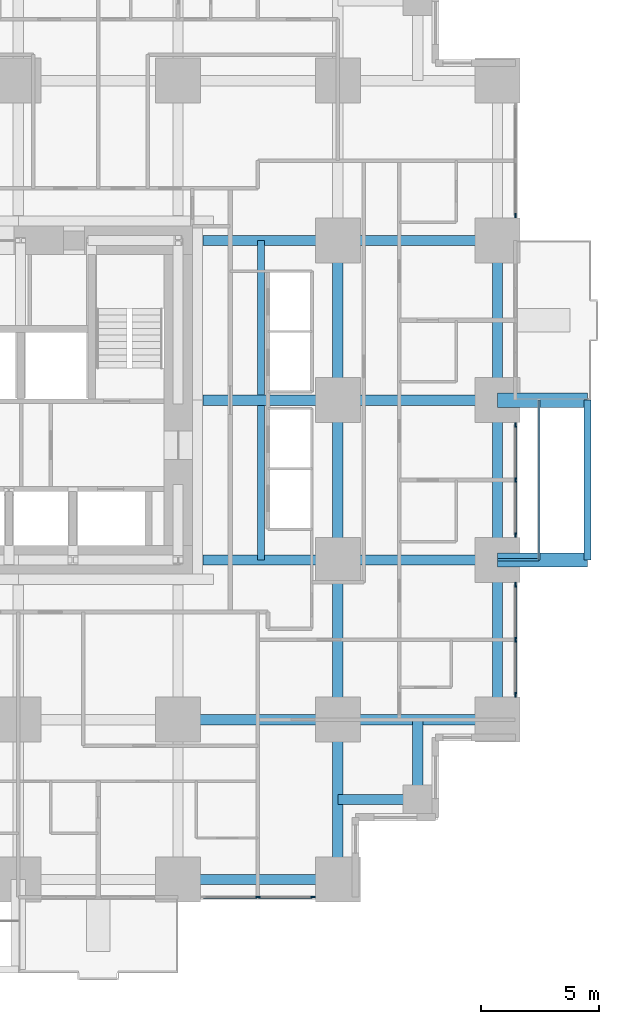
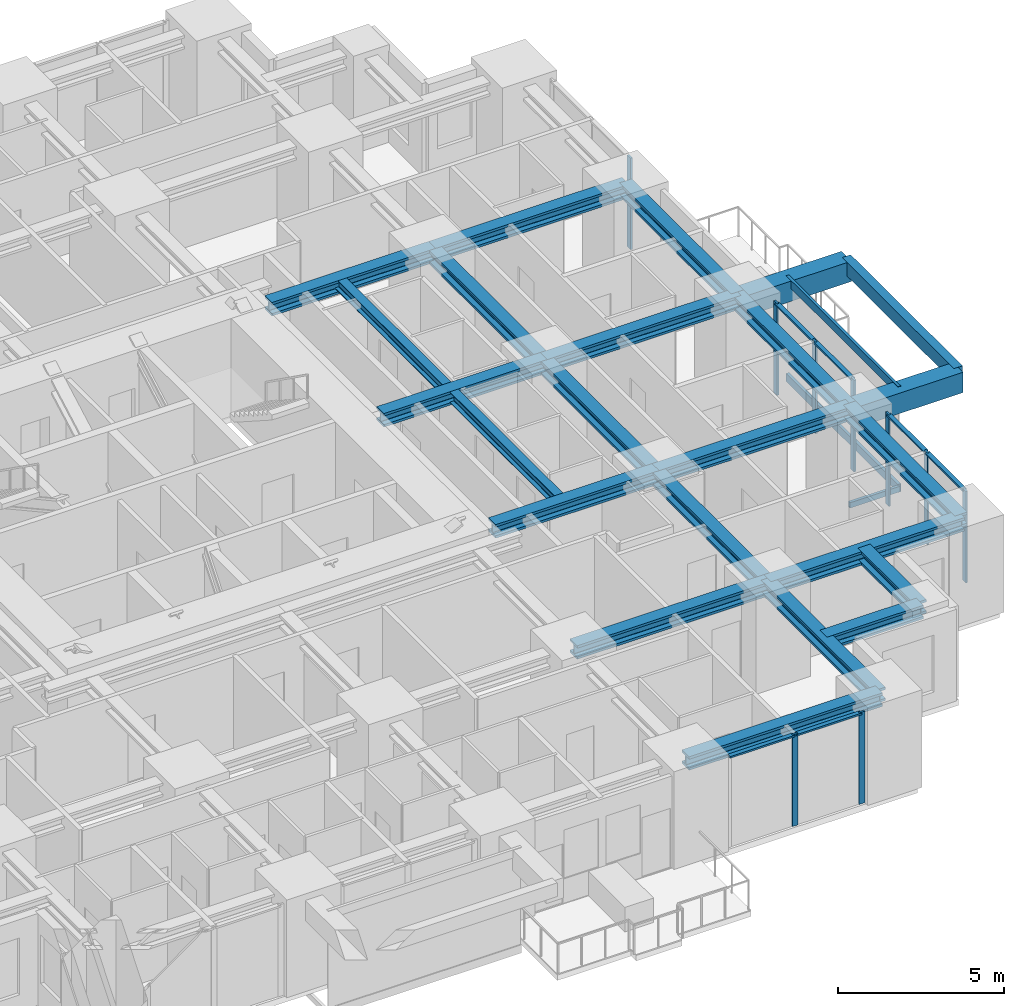
# One storey, part 4 of 14: 23 beams, 18 members, 4 elements without a shape of their own.
"""IFC4 building model written with IfcOpenShell, lengths in metres."""

from ifc_helpers import new_model, si_unit, direction, frame, origin, origin_2d, place, context, subcontext, project, spatial, rectangle, hollow_rectangle, i_section, extrude, material, material_profile, profile_set, type_object, element, aggregate, save


model = new_model("IFC4")

# Units and contexts
model_context = context("Model", 3, precision=1e-05, world=origin(), true_north=direction((0.0, 1.0)))
body_context = subcontext(model_context, "Body", "Model", "MODEL_VIEW")
ifc_project = project(units=[si_unit("LENGTHUNIT", "METRE"), si_unit("AREAUNIT", "SQUARE_METRE"), si_unit("VOLUMEUNIT", "CUBIC_METRE"), si_unit("PLANEANGLEUNIT", "RADIAN"), si_unit("MASSUNIT", "GRAM", prefix="KILO")], contexts=[model_context])

# Site, building, storey
site_placement = place(None, origin())
site = spatial("IfcSite", under=ifc_project, at=site_placement, CompositionType="ELEMENT")
building_placement = place(site_placement, origin())
building = spatial("IfcBuilding", under=site, at=building_placement, Name="Nyansa Garden Tower", CompositionType="ELEMENT")
storey_placement = place(building_placement, frame((0.0, 0.0, 21.60009765625)))
storey = spatial("IfcBuildingStorey", under=building, at=storey_placement, Name="L05", CompositionType="ELEMENT", Elevation=21.60009765625)

# Beams
ifc_material_1 = material(Name="Concrete C70/85", Category="concrete")
ifc_material_profile_1 = material_profile(ifc_material_1, rectangle(XDim=0.60009765625, YDim=0.75, at=origin_2d()), Name="RC 600x750")
ifc_profile_set_1 = profile_set([ifc_material_profile_1], Name="Concrete C70/85")
beam_type_1 = type_object("IfcBeamType", Name="Balcony cantilever beam CB1 RC 600x750", PredefinedType="BEAM", material=ifc_profile_set_1)
for number, where, z_axis, x_axis, name in (
    (1, (40.5, 13.5, 2.98486328125), (1.0, 0.0, 0.0), (0.0, 1.0, 0.0), "Balcony cantilever beam L06"),
    (2, (40.5, 20.25, 2.98486328125), (1.0, 0.0, 0.0), (0.0, 1.0, 0.0), "Balcony cantilever beam L06"),
):
    element("IfcBeam", number, at=place(storey_placement, frame(where, z_axis=z_axis, x_axis=x_axis)), inside=storey, type_object=beam_type_1, Name=name, PredefinedType="BEAM", context=body_context, shape_type="SweptSolid", body=[
        extrude(rectangle(XDim=0.60009765625, YDim=0.75, at=origin_2d()), origin(), (0.0, 0.0, 1.0), 3.800048828125),
    ])
ifc_material_2 = material(Name="Concrete C70/85", Category="concrete")
ifc_material_profile_2 = material_profile(ifc_material_2, rectangle(XDim=0.300048828125, YDim=0.5, at=origin_2d()), Name="RC 300x500")
ifc_profile_set_2 = profile_set([ifc_material_profile_2], Name="Concrete C70/85")
beam_type_2 = type_object("IfcBeamType", Name="Balcony edge beam BE1 RC 300x500", PredefinedType="BEAM", material=ifc_profile_set_2)
beam_1_placement = place(storey_placement, frame((44.300048828125, 13.5, 3.10986328125), z_axis=(0.0, 1.0, 0.0), x_axis=(-1.0, 0.0, 0.0)))
element("IfcBeam", 3, at=beam_1_placement, inside=storey, type_object=beam_type_2, Name="Balcony edge beam L06", PredefinedType="BEAM", context=body_context, shape_type="SweptSolid", body=[
    extrude(rectangle(XDim=0.300048828125, YDim=0.5, at=origin_2d()), origin(), (0.0, 0.0, 1.0), 6.75),
])

# Curtain wall, members
ifc_material_3 = material(Name="Black anodised aluminium, dark tinted double glazing", Category="aluminium")
curtain_wall_type = type_object("IfcCurtainWallType", Name="Inner skin curtain wall ISW-A", PredefinedType="USERDEFINED", material=ifc_material_3)
curtain_wall_1_placement = place(storey_placement, origin())
curtain_wall_1 = element("IfcCurtainWall", 4, at=curtain_wall_1_placement, inside=storey, type_object=curtain_wall_type, Name="Inner skin curtain wall L05 E", ObjectType="UNITISED CURTAIN WALL", PredefinedType="USERDEFINED")
ifc_material_4 = material(Name="Black anodised aluminium", Category="aluminium")
ifc_material_profile_3 = material_profile(ifc_material_4, rectangle(XDim=0.06494140625, YDim=0.199951171875, at=origin_2d()), Name="Mullion 200x65")
ifc_profile_set_3 = profile_set([ifc_material_profile_3], Name="Black anodised aluminium")
member_type_1 = type_object("IfcMemberType", Name="Mullion ISW-A 200x65", PredefinedType="MULLION", material=ifc_profile_set_3)
member_1_placement = place(storey_placement, frame((41.25, 7.800048828125, 0.0), z_axis=(0.0, 0.0, 1.0), x_axis=(-1.0, 0.0, 0.0)))
member_1 = element("IfcMember", 5, at=member_1_placement, type_object=member_type_1, Name="ISW-A mullion 1", PredefinedType="MULLION", context=body_context, shape_type="SweptSolid", body=[
    extrude(rectangle(XDim=0.06494140625, YDim=0.199951171875, at=origin_2d()), origin(), (0.0, 0.0, 1.0), 3.375),
])
member_2_placement = place(storey_placement, frame((41.25, 10.125, 0.0), z_axis=(0.0, 0.0, 1.0), x_axis=(-1.0, 0.0, 0.0)))
member_2 = element("IfcMember", 6, at=member_2_placement, type_object=member_type_1, Name="ISW-A mullion 2", PredefinedType="MULLION", context=body_context, shape_type="SweptSolid", body=[
    extrude(rectangle(XDim=0.06494140625, YDim=0.199951171875, at=origin_2d()), origin(), (0.0, 0.0, 1.0), 3.375),
])
member_3_placement = place(storey_placement, frame((41.25, 12.449951171875, 0.0), z_axis=(0.0, 0.0, 1.0), x_axis=(-1.0, 0.0, 0.0)))
member_3 = element("IfcMember", 7, at=member_3_placement, type_object=member_type_1, Name="ISW-A mullion 3", PredefinedType="MULLION", context=body_context, shape_type="SweptSolid", body=[
    extrude(rectangle(XDim=0.06494140625, YDim=0.199951171875, at=origin_2d()), origin(), (0.0, 0.0, 1.0), 3.375),
])

curtain_wall_2_placement = place(storey_placement, origin())
curtain_wall_2 = element("IfcCurtainWall", 8, at=curtain_wall_2_placement, inside=storey, type_object=curtain_wall_type, Name="Inner skin curtain wall L05 E", ObjectType="UNITISED CURTAIN WALL", PredefinedType="USERDEFINED")
member_4_placement = place(storey_placement, frame((41.25, 14.550048828125, 0.0), z_axis=(0.0, 0.0, 1.0), x_axis=(-1.0, 0.0, 0.0)))
member_4 = element("IfcMember", 9, at=member_4_placement, type_object=member_type_1, Name="ISW-A mullion 1", PredefinedType="MULLION", context=body_context, shape_type="SweptSolid", body=[
    extrude(rectangle(XDim=0.06494140625, YDim=0.199951171875, at=origin_2d()), origin(), (0.0, 0.0, 1.0), 3.375),
])
member_5_placement = place(storey_placement, frame((41.25, 16.875, 0.0), z_axis=(0.0, 0.0, 1.0), x_axis=(-1.0, 0.0, 0.0)))
member_5 = element("IfcMember", 10, at=member_5_placement, type_object=member_type_1, Name="ISW-A mullion 2", PredefinedType="MULLION", context=body_context, shape_type="SweptSolid", body=[
    extrude(rectangle(XDim=0.06494140625, YDim=0.199951171875, at=origin_2d()), origin(), (0.0, 0.0, 1.0), 3.375),
])
member_6_placement = place(storey_placement, frame((41.25, 19.199951171875, 0.0), z_axis=(0.0, 0.0, 1.0), x_axis=(-1.0, 0.0, 0.0)))
member_6 = element("IfcMember", 11, at=member_6_placement, type_object=member_type_1, Name="ISW-A mullion 3", PredefinedType="MULLION", context=body_context, shape_type="SweptSolid", body=[
    extrude(rectangle(XDim=0.06494140625, YDim=0.199951171875, at=origin_2d()), origin(), (0.0, 0.0, 1.0), 3.375),
])

# Curtain wall, member
curtain_wall_3_placement = place(storey_placement, origin())
curtain_wall_3 = element("IfcCurtainWall", 12, at=curtain_wall_3_placement, inside=storey, type_object=curtain_wall_type, Name="Inner skin curtain wall L05 E", ObjectType="UNITISED CURTAIN WALL", PredefinedType="USERDEFINED")
member_7_placement = place(storey_placement, frame((41.25, 28.050048828125, 0.0), z_axis=(0.0, 0.0, 1.0), x_axis=(-1.0, 0.0, 0.0)))
member_7 = element("IfcMember", 13, at=member_7_placement, type_object=member_type_1, Name="ISW-A mullion 1", PredefinedType="MULLION", context=body_context, shape_type="SweptSolid", body=[
    extrude(rectangle(XDim=0.06494140625, YDim=0.199951171875, at=origin_2d()), origin(), (0.0, 0.0, 1.0), 3.375),
])
aggregate(curtain_wall_3, [member_7])

# Curtain wall, members
curtain_wall_4_placement = place(storey_placement, origin())
curtain_wall_4 = element("IfcCurtainWall", 14, at=curtain_wall_4_placement, inside=storey, type_object=curtain_wall_type, Name="Inner skin curtain wall L05 S", ObjectType="UNITISED CURTAIN WALL", PredefinedType="USERDEFINED")
member_8_placement = place(storey_placement, frame((30.375, -0.75, 0.0), z_axis=(0.0, 0.0, 1.0), x_axis=(0.0, 1.0, 0.0)))
member_8 = element("IfcMember", 15, at=member_8_placement, type_object=member_type_1, Name="ISW-A mullion 2", PredefinedType="MULLION", context=body_context, shape_type="SweptSolid", body=[
    extrude(rectangle(XDim=0.06494140625, YDim=0.199951171875, at=origin_2d()), origin(), (0.0, 0.0, 1.0), 3.375),
])
member_9_placement = place(storey_placement, frame((32.699951171875, -0.75, 0.0), z_axis=(0.0, 0.0, 1.0), x_axis=(0.0, 1.0, 0.0)))
member_9 = element("IfcMember", 16, at=member_9_placement, type_object=member_type_1, Name="ISW-A mullion 3", PredefinedType="MULLION", context=body_context, shape_type="SweptSolid", body=[
    extrude(rectangle(XDim=0.06494140625, YDim=0.199951171875, at=origin_2d()), origin(), (0.0, 0.0, 1.0), 3.375),
])

# Members
ifc_material_5 = material(Name="Steel S355, black powder coated", Category="steel")
ifc_material_profile_4 = material_profile(ifc_material_5, hollow_rectangle(XDim=0.10009765625, YDim=0.199951171875, WallThickness=0.008056640625, at=origin_2d()), Name="RHS 200x100x8")
ifc_profile_set_4 = profile_set([ifc_material_profile_4], Name="Steel S355, black powder coated")
member_type_2 = type_object("IfcMemberType", Name="Outer skin bracket arm RHS 200x100x8", PredefinedType="USERDEFINED", material=ifc_profile_set_4)
member_10_placement = place(storey_placement, frame((40.5, 13.5, -0.375), z_axis=(1.0, 0.0, 0.0), x_axis=(0.0, 1.0, 0.0)))
element("IfcMember", 17, at=member_10_placement, inside=storey, type_object=member_type_2, Name="Outer skin bracket arm", ObjectType="OUTER SKIN BRACKET", PredefinedType="USERDEFINED", context=body_context, shape_type="SweptSolid", body=[
    extrude(hollow_rectangle(XDim=0.10009765625, YDim=0.199951171875, WallThickness=0.008056640625, at=origin_2d()), origin(), (0.0, 0.0, 1.0), 1.75),
])
ifc_material_6 = material(Name="Steel S355, black powder coated", Category="steel")
ifc_material_profile_5 = material_profile(ifc_material_6, hollow_rectangle(XDim=0.10009765625, YDim=0.300048828125, WallThickness=0.010009765625, at=origin_2d()), Name="RHS 300x100x10")
ifc_profile_set_5 = profile_set([ifc_material_profile_5], Name="Steel S355, black powder coated")
member_type_3 = type_object("IfcMemberType", Name="Outer skin rail RHS 300x100x10", PredefinedType="USERDEFINED", material=ifc_profile_set_5)
for number, where, z_axis, x_axis, name in (
    (18, (42.25, 13.5, -0.375), (0.0, 1.0, 0.0), (-1.0, 0.0, 0.0), "Outer skin rail L05"),
    (19, (42.25, 13.5, 3.224853515625), (0.0, 1.0, 0.0), (-1.0, 0.0, 0.0), "Outer skin rail L05 head"),
):
    element("IfcMember", number, at=place(storey_placement, frame(where, z_axis=z_axis, x_axis=x_axis)), inside=storey, type_object=member_type_3, Name=name, ObjectType="OUTER SKIN RAIL", PredefinedType="USERDEFINED", context=body_context, shape_type="SweptSolid", body=[
        extrude(hollow_rectangle(XDim=0.10009765625, YDim=0.300048828125, WallThickness=0.010009765625, at=origin_2d()), origin(), (0.0, 0.0, 1.0), 6.75),
    ])

# Beams
ifc_material_7 = material(Name="Steel S355", Category="steel")
ifc_material_profile_6 = material_profile(ifc_material_7, i_section(OverallWidth=0.431884765625, OverallDepth=0.498046875, WebThickness=0.0556640625, FlangeThickness=0.0888671875, FilletRadius=0.014892578125, at=origin_2d()), Name="HD 400x744")
ifc_profile_set_6 = profile_set([ifc_material_profile_6], Name="Steel S355")
beam_type_3 = type_object("IfcBeamType", Name="Steel beam SBA1-744 HD 400x744", PredefinedType="BEAM", material=ifc_profile_set_6)
beam_2_placement = place(storey_placement, frame((27.0, 6.75, 3.1259765625), z_axis=(1.0, 0.0, 0.0), x_axis=(0.0, 1.0, 0.0)))
element("IfcBeam", 20, at=beam_2_placement, inside=storey, type_object=beam_type_3, Name="Steel beam 6/E-7/E L06", PredefinedType="BEAM", context=body_context, shape_type="SweptSolid", body=[
    extrude(i_section(OverallWidth=0.431884765625, OverallDepth=0.498046875, WebThickness=0.0556640625, FlangeThickness=0.0888671875, FilletRadius=0.014892578125, at=origin_2d()), origin(), (0.0, 0.0, 1.0), 6.75),
])
for number, where, z_axis, x_axis, name in (
    (21, (28.050048828125, 13.5, 3.1259765625), (1.0, 0.0, 0.0), (0.0, 1.0, 0.0), "Steel beam 28.050/F-7/F L06"),
    (22, (28.050048828125, 20.25, 3.1259765625), (1.0, 0.0, 0.0), (0.0, 1.0, 0.0), "Steel beam 28.050/G-7/G L06"),
    (23, (28.050048828125, 27.0, 3.1259765625), (1.0, 0.0, 0.0), (0.0, 1.0, 0.0), "Steel beam 28.050/H-7/H L06"),
):
    element("IfcBeam", number, at=place(storey_placement, frame(where, z_axis=z_axis, x_axis=x_axis)), inside=storey, type_object=beam_type_3, Name=name, PredefinedType="BEAM", context=body_context, shape_type="SweptSolid", body=[
        extrude(i_section(OverallWidth=0.431884765625, OverallDepth=0.498046875, WebThickness=0.0556640625, FlangeThickness=0.0888671875, FilletRadius=0.014892578125, at=origin_2d()), origin(), (0.0, 0.0, 1.0), 5.699951171875),
    ])
for number, where, z_axis, x_axis, name in (
    (24, (33.75, 0.0, 3.1259765625), (0.0, 1.0, 0.0), (-1.0, 0.0, 0.0), "Steel beam 7/D-7/E L06"),
    (25, (33.75, 6.75, 3.1259765625), (0.0, 1.0, 0.0), (-1.0, 0.0, 0.0), "Steel beam 7/E-7/F L06"),
    (26, (33.75, 6.75, 3.1259765625), (1.0, 0.0, 0.0), (0.0, 1.0, 0.0), "Steel beam 7/E-8/E L06"),
    (27, (33.75, 13.5, 3.1259765625), (0.0, 1.0, 0.0), (-1.0, 0.0, 0.0), "Steel beam 7/F-7/G L06"),
    (28, (33.75, 13.5, 3.1259765625), (1.0, 0.0, 0.0), (0.0, 1.0, 0.0), "Steel beam 7/F-8/F L06"),
    (29, (33.75, 20.25, 3.1259765625), (0.0, 1.0, 0.0), (-1.0, 0.0, 0.0), "Steel beam 7/G-7/H L06"),
    (30, (33.75, 20.25, 3.1259765625), (1.0, 0.0, 0.0), (0.0, 1.0, 0.0), "Steel beam 7/G-8/G L06"),
    (31, (33.75, 27.0, 3.1259765625), (1.0, 0.0, 0.0), (0.0, 1.0, 0.0), "Steel beam 7/H-8/H L06"),
):
    element("IfcBeam", number, at=place(storey_placement, frame(where, z_axis=z_axis, x_axis=x_axis)), inside=storey, type_object=beam_type_3, Name=name, PredefinedType="BEAM", context=body_context, shape_type="SweptSolid", body=[
        extrude(i_section(OverallWidth=0.431884765625, OverallDepth=0.498046875, WebThickness=0.0556640625, FlangeThickness=0.0888671875, FilletRadius=0.014892578125, at=origin_2d()), origin(), (0.0, 0.0, 1.0), 6.75),
    ])
ifc_material_8 = material(Name="Steel S355", Category="steel")
ifc_material_profile_7 = material_profile(ifc_material_8, i_section(OverallWidth=0.431884765625, OverallDepth=0.498046875, WebThickness=0.0556640625, FlangeThickness=0.0888671875, FilletRadius=0.014892578125, at=origin_2d()), Name="HD 400x744")
ifc_profile_set_7 = profile_set([ifc_material_profile_7], Name="Steel S355")
beam_type_4 = type_object("IfcBeamType", Name="Steel beam SEBA-744 HD 400x744", PredefinedType="BEAM", material=ifc_profile_set_7)
for number, where, z_axis, x_axis, name in (
    (32, (27.0, 0.0, 3.1259765625), (1.0, 0.0, 0.0), (0.0, 1.0, 0.0), "Steel edge beam 6/D-7/D L06"),
    (33, (40.5, 6.75, 3.1259765625), (0.0, 1.0, 0.0), (-1.0, 0.0, 0.0), "Steel edge beam 8/E-8/F L06"),
    (34, (40.5, 13.5, 3.1259765625), (0.0, 1.0, 0.0), (-1.0, 0.0, 0.0), "Steel edge beam 8/F-8/G L06"),
    (35, (40.5, 20.25, 3.1259765625), (0.0, 1.0, 0.0), (-1.0, 0.0, 0.0), "Steel edge beam 8/G-8/H L06"),
):
    element("IfcBeam", number, at=place(storey_placement, frame(where, z_axis=z_axis, x_axis=x_axis)), inside=storey, type_object=beam_type_4, Name=name, PredefinedType="BEAM", context=body_context, shape_type="SweptSolid", body=[
        extrude(i_section(OverallWidth=0.431884765625, OverallDepth=0.498046875, WebThickness=0.0556640625, FlangeThickness=0.0888671875, FilletRadius=0.014892578125, at=origin_2d()), origin(), (0.0, 0.0, 1.0), 6.75),
    ])
ifc_material_9 = material(Name="Steel S355", Category="steel")
ifc_material_profile_8 = material_profile(ifc_material_9, i_section(OverallWidth=0.431884765625, OverallDepth=0.498046875, WebThickness=0.0556640625, FlangeThickness=0.0888671875, FilletRadius=0.014892578125, at=origin_2d()), Name="HD 400x744")
ifc_profile_set_8 = profile_set([ifc_material_profile_8], Name="Steel S355")
beam_type_5 = type_object("IfcBeamType", Name="Steel beam SSB1-744 HD 400x744", PredefinedType="BEAM", material=ifc_profile_set_8)
for number, where, z_axis, x_axis, name in (
    (36, (37.125, 3.375, 3.1259765625), (0.0, 1.0, 0.0), (-1.0, 0.0, 0.0), "Steel step beam 37.125/3.375 L06"),
    (37, (37.125, 3.375, 3.1259765625), (-1.0, 0.0, 0.0), (0.0, -1.0, 0.0), "Steel step beam 37.125/3.375 L06"),
):
    element("IfcBeam", number, at=place(storey_placement, frame(where, z_axis=z_axis, x_axis=x_axis)), inside=storey, type_object=beam_type_5, Name=name, PredefinedType="BEAM", context=body_context, shape_type="SweptSolid", body=[
        extrude(i_section(OverallWidth=0.431884765625, OverallDepth=0.498046875, WebThickness=0.0556640625, FlangeThickness=0.0888671875, FilletRadius=0.014892578125, at=origin_2d()), origin(), (0.0, 0.0, 1.0), 3.375),
    ])

# Member
ifc_material_10 = material(Name="Black anodised aluminium", Category="aluminium")
ifc_material_profile_9 = material_profile(ifc_material_10, rectangle(XDim=0.14990234375, YDim=0.06494140625, at=origin_2d()), Name="Transom 150x65")
ifc_profile_set_9 = profile_set([ifc_material_profile_9], Name="Black anodised aluminium")
member_type_4 = type_object("IfcMemberType", Name="Transom ISW-A 150x65", PredefinedType="USERDEFINED", material=ifc_profile_set_9)
member_11_placement = place(storey_placement, frame((41.25, 7.83251953125, 3.34228515625), z_axis=(0.0, 1.0, 0.0), x_axis=(-1.0, 0.0, 0.0)))
member_11 = element("IfcMember", 38, at=member_11_placement, type_object=member_type_4, Name="ISW-A transom 1", ObjectType="TRANSOM", PredefinedType="USERDEFINED", context=body_context, shape_type="SweptSolid", body=[
    extrude(rectangle(XDim=0.14990234375, YDim=0.06494140625, at=origin_2d()), origin(), (0.0, 0.0, 1.0), 2.260009765625),
])

member_12_placement = place(storey_placement, frame((41.25, 10.157470703125, 3.34228515625), z_axis=(0.0, 1.0, 0.0), x_axis=(-1.0, 0.0, 0.0)))
member_12 = element("IfcMember", 39, at=member_12_placement, type_object=member_type_4, Name="ISW-A transom 2", ObjectType="TRANSOM", PredefinedType="USERDEFINED", context=body_context, shape_type="SweptSolid", body=[
    extrude(rectangle(XDim=0.14990234375, YDim=0.06494140625, at=origin_2d()), origin(), (0.0, 0.0, 1.0), 2.260009765625),
])

aggregate(curtain_wall_1, [member_1, member_2, member_3, member_11, member_12])

member_13_placement = place(storey_placement, frame((41.25, 14.58251953125, 3.34228515625), z_axis=(0.0, 1.0, 0.0), x_axis=(-1.0, 0.0, 0.0)))
member_13 = element("IfcMember", 40, at=member_13_placement, type_object=member_type_4, Name="ISW-A transom 1", ObjectType="TRANSOM", PredefinedType="USERDEFINED", context=body_context, shape_type="SweptSolid", body=[
    extrude(rectangle(XDim=0.14990234375, YDim=0.06494140625, at=origin_2d()), origin(), (0.0, 0.0, 1.0), 2.260009765625),
])

member_14_placement = place(storey_placement, frame((41.25, 16.907470703125, 3.34228515625), z_axis=(0.0, 1.0, 0.0), x_axis=(-1.0, 0.0, 0.0)))
member_14 = element("IfcMember", 41, at=member_14_placement, type_object=member_type_4, Name="ISW-A transom 2", ObjectType="TRANSOM", PredefinedType="USERDEFINED", context=body_context, shape_type="SweptSolid", body=[
    extrude(rectangle(XDim=0.14990234375, YDim=0.06494140625, at=origin_2d()), origin(), (0.0, 0.0, 1.0), 2.260009765625),
])

aggregate(curtain_wall_2, [member_4, member_5, member_6, member_13, member_14])

member_15_placement = place(storey_placement, frame((28.08251953125, -0.75, 3.34228515625), z_axis=(1.0, 0.0, 0.0), x_axis=(0.0, 1.0, 0.0)))
member_15 = element("IfcMember", 42, at=member_15_placement, type_object=member_type_4, Name="ISW-A transom 1", ObjectType="TRANSOM", PredefinedType="USERDEFINED", context=body_context, shape_type="SweptSolid", body=[
    extrude(rectangle(XDim=0.14990234375, YDim=0.06494140625, at=origin_2d()), origin(), (0.0, 0.0, 1.0), 2.260009765625),
])

member_16_placement = place(storey_placement, frame((30.407470703125, -0.75, 3.34228515625), z_axis=(1.0, 0.0, 0.0), x_axis=(0.0, 1.0, 0.0)))
member_16 = element("IfcMember", 43, at=member_16_placement, type_object=member_type_4, Name="ISW-A transom 2", ObjectType="TRANSOM", PredefinedType="USERDEFINED", context=body_context, shape_type="SweptSolid", body=[
    extrude(rectangle(XDim=0.14990234375, YDim=0.06494140625, at=origin_2d()), origin(), (0.0, 0.0, 1.0), 2.260009765625),
])

aggregate(curtain_wall_4, [member_8, member_9, member_15, member_16])

# Beams
ifc_material_11 = material(Name="Steel S355", Category="steel")
ifc_material_profile_10 = material_profile(ifc_material_11, i_section(OverallWidth=0.300048828125, OverallDepth=0.39990234375, WebThickness=0.013427734375, FlangeThickness=0.02392578125, FilletRadius=0.027099609375, at=origin_2d()), Name="HE 400 B")
ifc_profile_set_10 = profile_set([ifc_material_profile_10], Name="Steel S355")
beam_type_6 = type_object("IfcBeamType", Name="Trimmer beam TR1 HE 400 B", PredefinedType="BEAM", material=ifc_profile_set_10)
for number, where, z_axis, x_axis, name in (
    (44, (30.5, 13.5, 3.1748046875), (0.0, 1.0, 0.0), (-1.0, 0.0, 0.0), "Trimmer beam 1 L06"),
    (45, (30.5, 20.466064453125, 3.1748046875), (0.0, 1.0, 0.0), (-1.0, 0.0, 0.0), "Trimmer beam 2 L06"),
):
    element("IfcBeam", number, at=place(storey_placement, frame(where, z_axis=z_axis, x_axis=x_axis)), inside=storey, type_object=beam_type_6, Name=name, PredefinedType="BEAM", context=body_context, shape_type="SweptSolid", body=[
        extrude(i_section(OverallWidth=0.300048828125, OverallDepth=0.39990234375, WebThickness=0.013427734375, FlangeThickness=0.02392578125, FilletRadius=0.027099609375, at=origin_2d()), origin(), (0.0, 0.0, 1.0), 6.533935546875),
    ])

save(model, "model.ifc")
